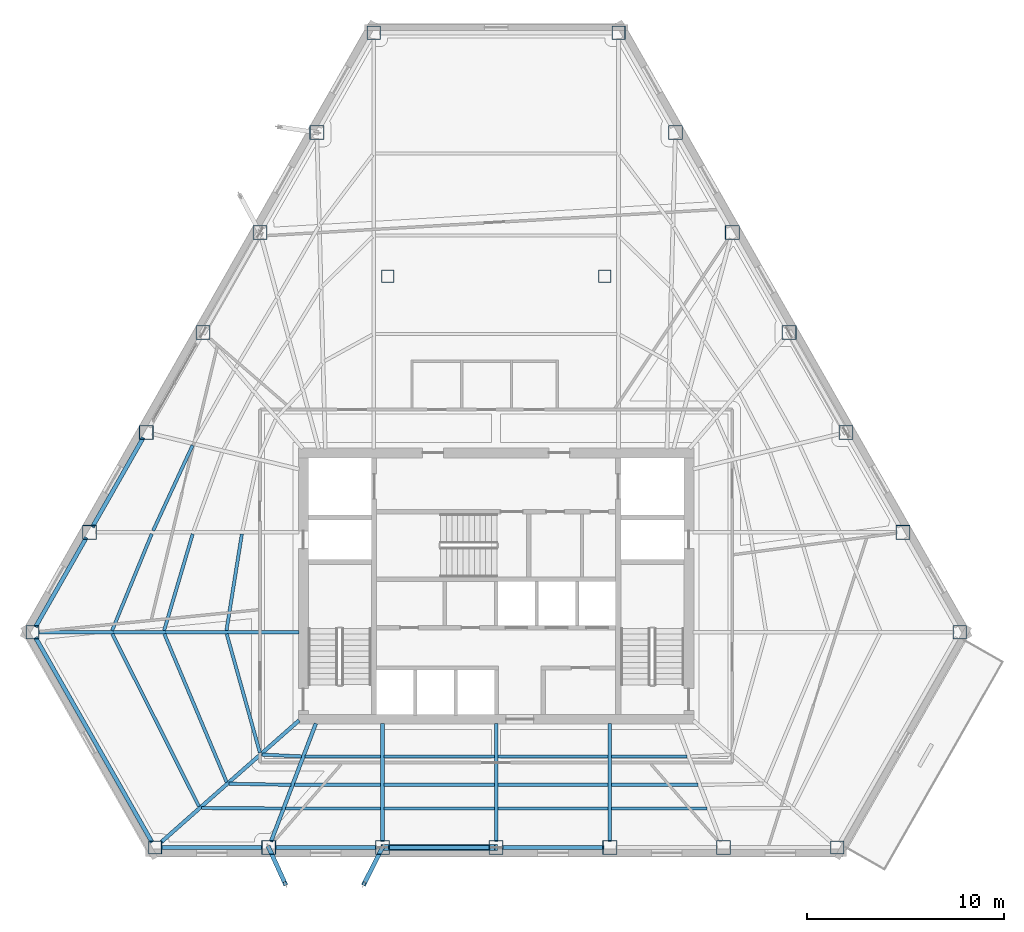
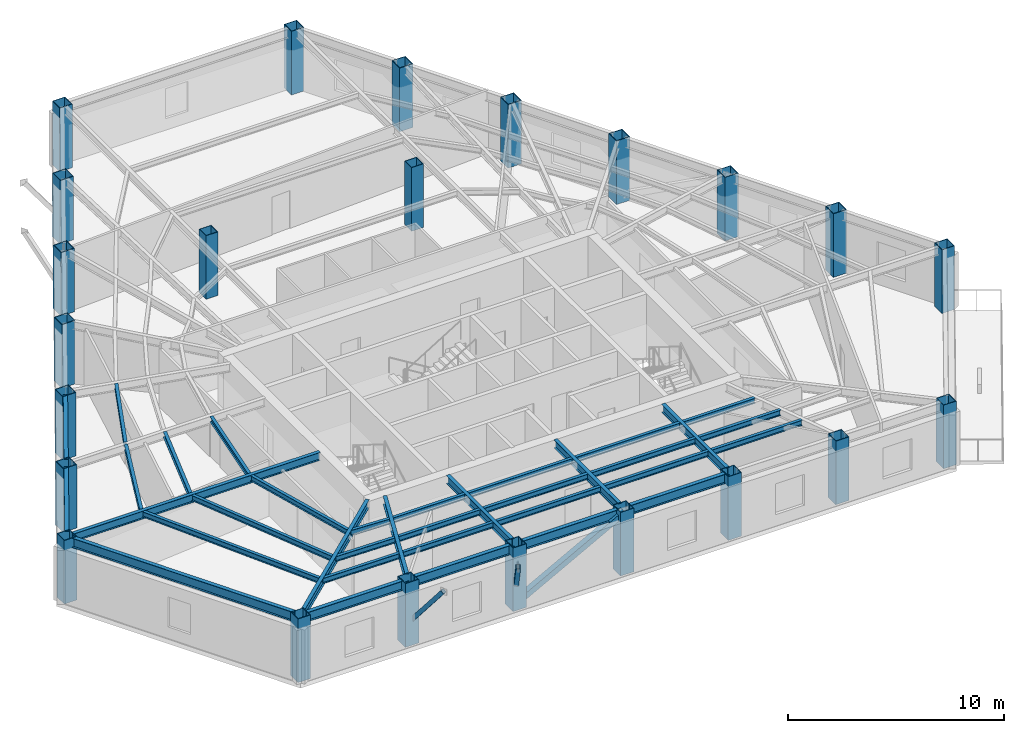
# One storey, part 1 of 12: 35 beams, 23 columns, 3 members.
"""IFC4 building model written with IfcOpenShell, lengths in metres."""

from ifc_helpers import new_model, si_unit, direction, frame, origin, origin_2d, place, context, subcontext, project, spatial, hollow_rectangle, i_section, extrude, material, material_profile, profile_set, type_object, element, save


model = new_model("IFC4")

# Units and contexts
model_context = context("Model", 3, precision=1e-05, world=origin(), true_north=direction((0.0, 1.0)))
body_context = subcontext(model_context, "Body", "Model", "MODEL_VIEW")
ifc_project = project(units=[si_unit("LENGTHUNIT", "METRE"), si_unit("AREAUNIT", "SQUARE_METRE"), si_unit("VOLUMEUNIT", "CUBIC_METRE"), si_unit("PLANEANGLEUNIT", "RADIAN"), si_unit("MASSUNIT", "GRAM", prefix="KILO")], contexts=[model_context])

# Site, building, storey
site_placement = place(None, origin())
site = spatial("IfcSite", under=ifc_project, at=site_placement, CompositionType="ELEMENT")
building_placement = place(site_placement, origin())
building = spatial("IfcBuilding", under=site, at=building_placement, Name="Kavelnor Concourse Tower", CompositionType="ELEMENT")
storey_placement = place(building_placement, frame((0.0, 0.0, 93.199951171875)))
storey = spatial("IfcBuildingStorey", under=building, at=storey_placement, Name="L23", CompositionType="ELEMENT", Elevation=93.199951171875)

# Columns
ifc_material = material(Name="Steel Grade 350", Category="steel")
ifc_material_profile_1 = material_profile(ifc_material, hollow_rectangle(XDim=0.679931640625, YDim=0.679931640625, WallThickness=0.030029296875, at=origin_2d()), Name="SHS 680x680x30")
ifc_profile_set_1 = profile_set([ifc_material_profile_1], Name="Steel Grade 350")
column_type_1 = type_object("IfcColumnType", Name="COL-FOLD-Z2", PredefinedType="COLUMN", material=ifc_profile_set_1)
for number, where, z_axis, x_axis, name in (
    (1, (31.794677734375, 44.1494140625, 0.0), (0.0, 0.0, 1.0), (1.0, 0.0, 0.0), "L23 Perimeter Corner-Fold Column F0-B0"),
    (2, (14.500244140625, 13.76318359375, 0.0), (0.0, 0.0, 1.0), (1.0, 0.0, 0.0), "L23 Perimeter Corner-Fold Column F0-B6"),
    (3, (20.711669921875, 2.849609375, 0.0), (0.0, 0.0, 1.0), (1.0, 0.0, 0.0), "L23 Perimeter Corner-Fold Column F1-B0"),
    (4, (55.288330078125, 2.849609375, 0.0), (0.0, 0.0, 1.0), (1.0, 0.0, 0.0), "L23 Perimeter Corner-Fold Column F1-B6"),
    (5, (61.499755859375, 13.76318359375, 0.0), (0.0, 0.0, 1.0), (1.0, 0.0, 0.0), "L23 Perimeter Corner-Fold Column F2-B0"),
    (6, (44.205322265625, 44.1494140625, 0.0), (0.0, 0.0, 1.0), (1.0, 0.0, 0.0), "L23 Perimeter Corner-Fold Column F2-B6"),
):
    element("IfcColumn", number, at=place(storey_placement, frame(where, z_axis=z_axis, x_axis=x_axis)), inside=storey, type_object=column_type_1, Name=name, PredefinedType="COLUMN", context=body_context, shape_type="SweptSolid", body=[
        extrude(hollow_rectangle(XDim=0.679931640625, YDim=0.679931640625, WallThickness=0.030029296875, at=origin_2d()), origin(), (0.0, 0.0, 1.0), 3.60009765625),
    ])
ifc_material_profile_2 = material_profile(ifc_material, hollow_rectangle(XDim=0.719970703125, YDim=0.719970703125, WallThickness=0.031982421875, at=origin_2d()), Name="SHS 720x720x32")
ifc_profile_set_2 = profile_set([ifc_material_profile_2], Name="Steel Grade 350")
column_type_2 = type_object("IfcColumnType", Name="COL-TUBE-Z2", PredefinedType="COLUMN", material=ifc_profile_set_2)
for number, where, z_axis, x_axis, name in (
    (7, (28.912109375, 39.085205078125, 0.0), (0.0, 0.0, 1.0), (1.0, 0.0, 0.0), "L23 Perimeter Framed-Tube Column F0-B1"),
    (8, (26.02978515625, 34.020751953125, 0.0), (0.0, 0.0, 1.0), (1.0, 0.0, 0.0), "L23 Perimeter Framed-Tube Column F0-B2"),
    (9, (23.1474609375, 28.956298828125, 0.0), (0.0, 0.0, 1.0), (1.0, 0.0, 0.0), "L23 Perimeter Framed-Tube Column F0-B3"),
    (10, (20.26513671875, 23.891845703125, 0.0), (0.0, 0.0, 1.0), (1.0, 0.0, 0.0), "L23 Perimeter Framed-Tube Column F0-B4"),
    (11, (17.3828125, 18.827392578125, 0.0), (0.0, 0.0, 1.0), (1.0, 0.0, 0.0), "L23 Perimeter Framed-Tube Column F0-B5"),
    (12, (26.474365234375, 2.849609375, 0.0), (0.0, 0.0, 1.0), (1.0, 0.0, 0.0), "L23 Perimeter Framed-Tube Column F1-B1"),
    (13, (32.2373046875, 2.849609375, 0.0), (0.0, 0.0, 1.0), (1.0, 0.0, 0.0), "L23 Perimeter Framed-Tube Column F1-B2"),
    (14, (38.0, 2.849609375, 0.0), (0.0, 0.0, 1.0), (1.0, 0.0, 0.0), "L23 Perimeter Framed-Tube Column F1-B3"),
    (15, (43.7626953125, 2.849609375, 0.0), (0.0, 0.0, 1.0), (1.0, 0.0, 0.0), "L23 Perimeter Framed-Tube Column F1-B4"),
    (16, (49.525634765625, 2.849609375, 0.0), (0.0, 0.0, 1.0), (1.0, 0.0, 0.0), "L23 Perimeter Framed-Tube Column F1-B5"),
    (17, (58.6171875, 18.827392578125, 0.0), (0.0, 0.0, 1.0), (1.0, 0.0, 0.0), "L23 Perimeter Framed-Tube Column F2-B1"),
    (18, (55.73486328125, 23.891845703125, 0.0), (0.0, 0.0, 1.0), (1.0, 0.0, 0.0), "L23 Perimeter Framed-Tube Column F2-B2"),
    (19, (52.8525390625, 28.956298828125, 0.0), (0.0, 0.0, 1.0), (1.0, 0.0, 0.0), "L23 Perimeter Framed-Tube Column F2-B3"),
    (20, (49.97021484375, 34.020751953125, 0.0), (0.0, 0.0, 1.0), (1.0, 0.0, 0.0), "L23 Perimeter Framed-Tube Column F2-B4"),
    (21, (47.087890625, 39.085205078125, 0.0), (0.0, 0.0, 1.0), (1.0, 0.0, 0.0), "L23 Perimeter Framed-Tube Column F2-B5"),
):
    element("IfcColumn", number, at=place(storey_placement, frame(where, z_axis=z_axis, x_axis=x_axis)), inside=storey, type_object=column_type_2, Name=name, PredefinedType="COLUMN", context=body_context, shape_type="SweptSolid", body=[
        extrude(hollow_rectangle(XDim=0.719970703125, YDim=0.719970703125, WallThickness=0.031982421875, at=origin_2d()), origin(), (0.0, 0.0, 1.0), 3.60009765625),
    ])
ifc_material_profile_3 = material_profile(ifc_material, hollow_rectangle(XDim=0.639892578125, YDim=0.639892578125, WallThickness=0.028076171875, at=origin_2d()), Name="SHS 640x640x28")
ifc_profile_set_3 = profile_set([ifc_material_profile_3], Name="Steel Grade 350")
column_type_3 = type_object("IfcColumnType", Name="COL-TUBE-Z3", PredefinedType="COLUMN", material=ifc_profile_set_3)
for number, where, z_axis, x_axis, name in (
    (22, (32.5, 31.800048828125, 0.0), (0.0, 0.0, 1.0), (1.0, 0.0, 0.0), "L23 North Interior Gravity Column BC-NW"),
    (23, (43.5, 31.800048828125, 0.0), (0.0, 0.0, 1.0), (1.0, 0.0, 0.0), "L23 North Interior Gravity Column BC-NE"),
):
    element("IfcColumn", number, at=place(storey_placement, frame(where, z_axis=z_axis, x_axis=x_axis)), inside=storey, type_object=column_type_3, Name=name, PredefinedType="COLUMN", context=body_context, shape_type="SweptSolid", body=[
        extrude(hollow_rectangle(XDim=0.639892578125, YDim=0.639892578125, WallThickness=0.028076171875, at=origin_2d()), origin(), (0.0, 0.0, 1.0), 3.60009765625),
    ])

# Beams
ifc_material_profile_4 = material_profile(ifc_material, i_section(OverallWidth=0.166015625, OverallDepth=0.306884765625, WebThickness=0.006591796875, FlangeThickness=0.01171875, at=origin_2d()), Name="310UB46")
ifc_profile_set_4 = profile_set([ifc_material_profile_4], Name="Steel Grade 350")
beam_type_1 = type_object("IfcBeamType", Name="BM-JOIST-310", PredefinedType="JOIST", material=ifc_profile_set_4)
beam_1_placement = place(storey_placement, frame((24.342529296875, 13.677490234375, 3.446533203125), z_axis=(0.269478015245, -0.96300654167, 0.0), x_axis=(0.96300654167, 0.269478015245, 0.0)))
element("IfcBeam", 24, at=beam_1_placement, inside=storey, type_object=beam_type_1, Name="L23 Secondary Composite Joist 01-1", PredefinedType="JOIST", context=body_context, shape_type="SweptSolid", body=[
    extrude(i_section(OverallWidth=0.166015625, OverallDepth=0.306884765625, WebThickness=0.006591796875, FlangeThickness=0.01171875, at=origin_2d()), origin(), (0.0, 0.0, 1.0), 6.25927734375),
])
beam_2_placement = place(storey_placement, frame((21.180419921875, 13.68115234375, 3.446533203125), z_axis=(0.387719624381, -0.921777355368, 0.0), x_axis=(0.921777355368, 0.387719624381, 0.0)))
element("IfcBeam", 25, at=beam_2_placement, inside=storey, type_object=beam_type_1, Name="L23 Secondary Composite Joist 01-2", PredefinedType="JOIST", context=body_context, shape_type="SweptSolid", body=[
    extrude(i_section(OverallWidth=0.166015625, OverallDepth=0.306884765625, WebThickness=0.006591796875, FlangeThickness=0.01171875, at=origin_2d()), origin(), (0.0, 0.0, 1.0), 8.153076171875),
])
beam_3_placement = place(storey_placement, frame((18.541748046875, 13.68359375, 3.446533203125), z_axis=(0.448827839238, -0.893618246638, 0.0), x_axis=(0.893618246638, 0.448827839238, 0.0)))
element("IfcBeam", 26, at=beam_3_placement, inside=storey, type_object=beam_type_1, Name="L23 Secondary Composite Joist 01-3", PredefinedType="JOIST", context=body_context, shape_type="SweptSolid", body=[
    extrude(i_section(OverallWidth=0.166015625, OverallDepth=0.306884765625, WebThickness=0.006591796875, FlangeThickness=0.01171875, at=origin_2d()), origin(), (0.0, 0.0, 1.0), 9.796142578125),
])
beam_4_placement = place(storey_placement, frame((26.14208984375, 7.559814453125, 3.446533203125), z_axis=(0.998892069474, -0.047059893141, 0.0), x_axis=(0.047059893141, 0.998892069474, 0.0)))
element("IfcBeam", 27, at=beam_4_placement, inside=storey, type_object=beam_type_1, Name="L23 Secondary Composite Joist 02-1", PredefinedType="JOIST", context=body_context, shape_type="SweptSolid", body=[
    extrude(i_section(OverallWidth=0.166015625, OverallDepth=0.306884765625, WebThickness=0.006591796875, FlangeThickness=0.01171875, at=origin_2d()), origin(), (0.0, 0.0, 1.0), 1.997314453125),
])
beam_5_placement = place(storey_placement, frame((24.465087890625, 6.082275390625, 3.446533203125), z_axis=(0.999841518971, -0.017802722868, 0.0), x_axis=(0.017802722868, 0.999841518971, 0.0)))
element("IfcBeam", 28, at=beam_5_placement, inside=storey, type_object=beam_type_1, Name="L23 Secondary Composite Joist 02-2", PredefinedType="JOIST", context=body_context, shape_type="SweptSolid", body=[
    extrude(i_section(OverallWidth=0.166015625, OverallDepth=0.306884765625, WebThickness=0.006591796875, FlangeThickness=0.01171875, at=origin_2d()), origin(), (0.0, 0.0, 1.0), 3.126708984375),
])
beam_6_placement = place(storey_placement, frame((23.0673828125, 4.849853515625, 3.446533203125), z_axis=(0.999986378258, -0.005219511334, 0.0), x_axis=(0.005219511334, 0.999986378258, 0.0)))
element("IfcBeam", 29, at=beam_6_placement, inside=storey, type_object=beam_type_1, Name="L23 Secondary Composite Joist 02-3", PredefinedType="JOIST", context=body_context, shape_type="SweptSolid", body=[
    extrude(i_section(OverallWidth=0.166015625, OverallDepth=0.306884765625, WebThickness=0.006591796875, FlangeThickness=0.01171875, at=origin_2d()), origin(), (0.0, 0.0, 1.0), 4.0693359375),
])
beam_7_placement = place(storey_placement, frame((28.31494140625, 7.461669921875, 3.446533203125), z_axis=(0.999999967548, 0.000254760835, 0.0), x_axis=(-0.000254760835, 0.999999967548, 0.0)))
element("IfcBeam", 30, at=beam_7_placement, inside=storey, type_object=beam_type_1, Name="L23 Secondary Composite Joist 03-1", PredefinedType="JOIST", context=body_context, shape_type="SweptSolid", body=[
    extrude(i_section(OverallWidth=0.166015625, OverallDepth=0.306884765625, WebThickness=0.006591796875, FlangeThickness=0.01171875, at=origin_2d()), origin(), (0.0, 0.0, 1.0), 3.833251953125),
])
beam_8_placement = place(storey_placement, frame((27.769287109375, 6.025146484375, 3.446533203125), z_axis=(0.999999998446, -5.5753791e-05, 0.0), x_axis=(5.5753791e-05, 0.999999998446, 0.0)))
element("IfcBeam", 31, at=beam_8_placement, inside=storey, type_object=beam_type_1, Name="L23 Secondary Composite Joist 03-2", PredefinedType="JOIST", context=body_context, shape_type="SweptSolid", body=[
    extrude(i_section(OverallWidth=0.166015625, OverallDepth=0.306884765625, WebThickness=0.006591796875, FlangeThickness=0.01171875, at=origin_2d()), origin(), (0.0, 0.0, 1.0), 4.37890625),
])
beam_9_placement = place(storey_placement, frame((27.314697265625, 4.828125, 3.446533203125), z_axis=(0.999999968109, -0.000252550755, 0.0), x_axis=(0.000252550755, 0.999999968109, 0.0)))
element("IfcBeam", 32, at=beam_9_placement, inside=storey, type_object=beam_type_1, Name="L23 Secondary Composite Joist 03-3", PredefinedType="JOIST", context=body_context, shape_type="SweptSolid", body=[
    extrude(i_section(OverallWidth=0.166015625, OverallDepth=0.306884765625, WebThickness=0.006591796875, FlangeThickness=0.01171875, at=origin_2d()), origin(), (0.0, 0.0, 1.0), 4.83349609375),
])
for number, where, z_axis, x_axis, name in (
    (33, (32.326171875, 7.462646484375, 3.446533203125), (1.0, 0.0, 0.0), (0.0, 1.0, 0.0), "L23 Secondary Composite Joist 04-1"),
    (34, (32.326171875, 6.02490234375, 3.446533203125), (1.0, 0.0, 0.0), (0.0, 1.0, 0.0), "L23 Secondary Composite Joist 04-2"),
    (35, (32.326171875, 4.826904296875, 3.446533203125), (1.0, 0.0, 0.0), (0.0, 1.0, 0.0), "L23 Secondary Composite Joist 04-3"),
    (36, (38.089111328125, 7.462646484375, 3.446533203125), (1.0, 0.0, 0.0), (0.0, 1.0, 0.0), "L23 Secondary Composite Joist 05-1"),
    (37, (38.089111328125, 6.02490234375, 3.446533203125), (1.0, 0.0, 0.0), (0.0, 1.0, 0.0), "L23 Secondary Composite Joist 05-2"),
    (38, (38.089111328125, 4.826904296875, 3.446533203125), (1.0, 0.0, 0.0), (0.0, 1.0, 0.0), "L23 Secondary Composite Joist 05-3"),
):
    element("IfcBeam", number, at=place(storey_placement, frame(where, z_axis=z_axis, x_axis=x_axis)), inside=storey, type_object=beam_type_1, Name=name, PredefinedType="JOIST", context=body_context, shape_type="SweptSolid", body=[
        extrude(i_section(OverallWidth=0.166015625, OverallDepth=0.306884765625, WebThickness=0.006591796875, FlangeThickness=0.01171875, at=origin_2d()), origin(), (0.0, 0.0, 1.0), 5.584716796875),
    ])
beam_10_placement = place(storey_placement, frame((43.851806640625, 7.462646484375, 3.446533203125), z_axis=(0.999999967548, -0.000254760835, 0.0), x_axis=(0.000254760835, 0.999999967548, 0.0)))
element("IfcBeam", 39, at=beam_10_placement, inside=storey, type_object=beam_type_1, Name="L23 Secondary Composite Joist 06-1", PredefinedType="JOIST", context=body_context, shape_type="SweptSolid", body=[
    extrude(i_section(OverallWidth=0.166015625, OverallDepth=0.306884765625, WebThickness=0.006591796875, FlangeThickness=0.01171875, at=origin_2d()), origin(), (0.0, 0.0, 1.0), 3.833251953125),
])
beam_11_placement = place(storey_placement, frame((43.851806640625, 6.02490234375, 3.446533203125), z_axis=(0.999999998446, 5.5753791e-05, 0.0), x_axis=(-5.5753791e-05, 0.999999998446, 0.0)))
element("IfcBeam", 40, at=beam_11_placement, inside=storey, type_object=beam_type_1, Name="L23 Secondary Composite Joist 06-2", PredefinedType="JOIST", context=body_context, shape_type="SweptSolid", body=[
    extrude(i_section(OverallWidth=0.166015625, OverallDepth=0.306884765625, WebThickness=0.006591796875, FlangeThickness=0.01171875, at=origin_2d()), origin(), (0.0, 0.0, 1.0), 4.37890625),
])
beam_12_placement = place(storey_placement, frame((43.851806640625, 4.826904296875, 3.446533203125), z_axis=(0.999999968109, 0.000252550755, 0.0), x_axis=(-0.000252550755, 0.999999968109, 0.0)))
element("IfcBeam", 41, at=beam_12_placement, inside=storey, type_object=beam_type_1, Name="L23 Secondary Composite Joist 06-3", PredefinedType="JOIST", context=body_context, shape_type="SweptSolid", body=[
    extrude(i_section(OverallWidth=0.166015625, OverallDepth=0.306884765625, WebThickness=0.006591796875, FlangeThickness=0.01171875, at=origin_2d()), origin(), (0.0, 0.0, 1.0), 4.83349609375),
])
beam_13_placement = place(storey_placement, frame((22.615478515625, 23.23681640625, 3.446533203125), z_axis=(-0.419603527999, -0.907707485532, 0.0), x_axis=(0.907707485532, -0.419603527999, 0.0)))
element("IfcBeam", 42, at=beam_13_placement, inside=storey, type_object=beam_type_1, Name="L23 Secondary Composite Joist 20-3", PredefinedType="JOIST", context=body_context, shape_type="SweptSolid", body=[
    extrude(i_section(OverallWidth=0.166015625, OverallDepth=0.306884765625, WebThickness=0.006591796875, FlangeThickness=0.01171875, at=origin_2d()), origin(), (0.0, 0.0, 1.0), 4.768798828125),
])
beam_14_placement = place(storey_placement, frame((25.111572265625, 18.739501953125, 3.446533203125), z_axis=(-0.15738070118, -0.987538006811, 0.0), x_axis=(0.987538006811, -0.15738070118, 0.0)))
element("IfcBeam", 43, at=beam_14_placement, inside=storey, type_object=beam_type_1, Name="L23 Secondary Composite Joist 21-1", PredefinedType="JOIST", context=body_context, shape_type="SweptSolid", body=[
    extrude(i_section(OverallWidth=0.166015625, OverallDepth=0.306884765625, WebThickness=0.006591796875, FlangeThickness=0.01171875, at=origin_2d()), origin(), (0.0, 0.0, 1.0), 4.9501953125),
])
beam_15_placement = place(storey_placement, frame((22.619384765625, 18.7421875, 3.446533203125), z_axis=(-0.283813062923, -0.958879630253, 0.0), x_axis=(0.958879630253, -0.283813062923, 0.0)))
element("IfcBeam", 44, at=beam_15_placement, inside=storey, type_object=beam_type_1, Name="L23 Secondary Composite Joist 21-2", PredefinedType="JOIST", context=body_context, shape_type="SweptSolid", body=[
    extrude(i_section(OverallWidth=0.166015625, OverallDepth=0.306884765625, WebThickness=0.006591796875, FlangeThickness=0.01171875, at=origin_2d()), origin(), (0.0, 0.0, 1.0), 5.103759765625),
])
beam_16_placement = place(storey_placement, frame((20.54345703125, 18.7451171875, 3.446533203125), z_axis=(-0.379183940808, -0.925321316643, 0.0), x_axis=(0.925321316643, -0.379183940808, 0.0)))
element("IfcBeam", 45, at=beam_16_placement, inside=storey, type_object=beam_type_1, Name="L23 Secondary Composite Joist 21-3", PredefinedType="JOIST", context=body_context, shape_type="SweptSolid", body=[
    extrude(i_section(OverallWidth=0.166015625, OverallDepth=0.306884765625, WebThickness=0.006591796875, FlangeThickness=0.01171875, at=origin_2d()), origin(), (0.0, 0.0, 1.0), 5.295166015625),
])
ifc_material_profile_5 = material_profile(ifc_material, i_section(OverallWidth=0.18994140625, OverallDepth=0.4541015625, WebThickness=0.008544921875, FlangeThickness=0.0126953125, at=origin_2d()), Name="460UB67")
ifc_profile_set_5 = profile_set([ifc_material_profile_5], Name="Steel Grade 350")
beam_type_2 = type_object("IfcBeamType", Name="BM-PRIMARY-460", PredefinedType="BEAM", material=ifc_profile_set_5)
beam_17_placement = place(storey_placement, frame((28.02001953125, 13.76318359375, 3.373046875), z_axis=(-1.0, 0.0, 0.0), x_axis=(0.0, -1.0, 0.0)))
element("IfcBeam", 46, at=beam_17_placement, inside=storey, type_object=beam_type_2, Name="L23 Primary Floor Girder F0-B6", PredefinedType="BEAM", context=body_context, shape_type="SweptSolid", body=[
    extrude(i_section(OverallWidth=0.18994140625, OverallDepth=0.4541015625, WebThickness=0.008544921875, FlangeThickness=0.0126953125, at=origin_2d()), origin(), (0.0, 0.0, 1.0), 13.2197265625),
])
beam_18_placement = place(storey_placement, frame((28.010009765625, 9.291015625, 3.373046875), z_axis=(-0.74976447058, -0.661704797214, 0.0), x_axis=(0.661704797214, -0.74976447058, 0.0)))
element("IfcBeam", 47, at=beam_18_placement, inside=storey, type_object=beam_type_2, Name="L23 Primary Floor Girder F1-B0", PredefinedType="BEAM", context=body_context, shape_type="SweptSolid", body=[
    extrude(i_section(OverallWidth=0.18994140625, OverallDepth=0.4541015625, WebThickness=0.008544921875, FlangeThickness=0.0126953125, at=origin_2d()), origin(), (0.0, 0.0, 1.0), 9.321044921875),
])
beam_19_placement = place(storey_placement, frame((28.862548828125, 9.137451171875, 3.373046875), z_axis=(-0.355061142992, -0.934843080275, 0.0), x_axis=(0.934843080275, -0.355061142992, 0.0)))
element("IfcBeam", 48, at=beam_19_placement, inside=storey, type_object=beam_type_2, Name="L23 Primary Floor Girder F1-B1", PredefinedType="BEAM", context=body_context, shape_type="SweptSolid", body=[
    extrude(i_section(OverallWidth=0.18994140625, OverallDepth=0.4541015625, WebThickness=0.008544921875, FlangeThickness=0.0126953125, at=origin_2d()), origin(), (0.0, 0.0, 1.0), 6.40234375),
])
for number, where, z_axis, x_axis, name in (
    (49, (32.2373046875, 9.139892578125, 3.373046875), (0.0, -1.0, 0.0), (1.0, 0.0, 0.0), "L23 Primary Floor Girder F1-B2"),
    (50, (38.0, 9.139892578125, 3.373046875), (0.0, -1.0, 0.0), (1.0, 0.0, 0.0), "L23 Primary Floor Girder F1-B3"),
    (51, (43.7626953125, 9.139892578125, 3.373046875), (0.0, -1.0, 0.0), (1.0, 0.0, 0.0), "L23 Primary Floor Girder F1-B4"),
):
    element("IfcBeam", number, at=place(storey_placement, frame(where, z_axis=z_axis, x_axis=x_axis)), inside=storey, type_object=beam_type_2, Name=name, PredefinedType="BEAM", context=body_context, shape_type="SweptSolid", body=[
        extrude(i_section(OverallWidth=0.18994140625, OverallDepth=0.4541015625, WebThickness=0.008544921875, FlangeThickness=0.0126953125, at=origin_2d()), origin(), (0.0, 0.0, 1.0), 5.990234375),
    ])
ifc_material_profile_6 = material_profile(ifc_material, i_section(OverallWidth=0.208984375, OverallDepth=0.532958984375, WebThickness=0.01025390625, FlangeThickness=0.015625, at=origin_2d()), Name="530UB92")
ifc_profile_set_6 = profile_set([ifc_material_profile_6], Name="Steel Grade 350")
beam_type_3 = type_object("IfcBeamType", Name="BM-SPANDREL-Z2", PredefinedType="SPANDREL", material=ifc_profile_set_6)
for number, where, z_axis, x_axis, name in (
    (52, (20.1142578125, 23.626708984375, 3.33349609375), (-0.49463639641, -0.869100014582, 0.0), (0.869100014582, -0.49463639641, 0.0), "L23 Perimeter Tube Spandrel Beam F0-B4"),
    (53, (17.231689453125, 18.5625, 3.33349609375), (-0.49463639641, -0.869100014582, 0.0), (0.869100014582, -0.49463639641, 0.0), "L23 Perimeter Tube Spandrel Beam F0-B5"),
):
    element("IfcBeam", number, at=place(storey_placement, frame(where, z_axis=z_axis, x_axis=x_axis)), inside=storey, type_object=beam_type_3, Name=name, PredefinedType="SPANDREL", context=body_context, shape_type="SweptSolid", body=[
        extrude(i_section(OverallWidth=0.208984375, OverallDepth=0.532958984375, WebThickness=0.01025390625, FlangeThickness=0.015625, at=origin_2d()), origin(), (0.0, 0.0, 1.0), 5.217041015625),
    ])
for number, where, z_axis, x_axis, name in (
    (54, (21.0166015625, 2.849609375, 3.33349609375), (1.0, 0.0, 0.0), (0.0, 1.0, 0.0), "L23 Perimeter Tube Spandrel Beam F1-B0"),
    (55, (26.779296875, 2.849609375, 3.33349609375), (1.0, 0.0, 0.0), (0.0, 1.0, 0.0), "L23 Perimeter Tube Spandrel Beam F1-B1"),
    (56, (32.542236328125, 2.849609375, 3.33349609375), (1.0, 0.0, 0.0), (0.0, 1.0, 0.0), "L23 Perimeter Tube Spandrel Beam F1-B2"),
    (57, (38.304931640625, 2.849609375, 3.33349609375), (1.0, 0.0, 0.0), (0.0, 1.0, 0.0), "L23 Perimeter Tube Spandrel Beam F1-B3"),
):
    element("IfcBeam", number, at=place(storey_placement, frame(where, z_axis=z_axis, x_axis=x_axis)), inside=storey, type_object=beam_type_3, Name=name, PredefinedType="SPANDREL", context=body_context, shape_type="SweptSolid", body=[
        extrude(i_section(OverallWidth=0.208984375, OverallDepth=0.532958984375, WebThickness=0.01025390625, FlangeThickness=0.015625, at=origin_2d()), origin(), (0.0, 0.0, 1.0), 5.15283203125),
    ])
beam_20_placement = place(storey_placement, frame((14.651123046875, 13.498046875, 3.33349609375), z_axis=(0.494646146825, -0.869094465194, 0.0), x_axis=(0.869094465194, 0.494646146825, 0.0)))
element("IfcBeam", 58, at=beam_20_placement, inside=storey, type_object=beam_type_3, Name="L23 Chamfer Facet Spandrel Beam C1", PredefinedType="SPANDREL", context=body_context, shape_type="SweptSolid", body=[
    extrude(i_section(OverallWidth=0.208984375, OverallDepth=0.532958984375, WebThickness=0.01025390625, FlangeThickness=0.015625, at=origin_2d()), origin(), (0.0, 0.0, 1.0), 11.947265625),
])

# Members
ifc_material_profile_7 = material_profile(ifc_material, hollow_rectangle(XDim=0.219970703125, YDim=0.219970703125, WallThickness=0.013916015625, at=origin_2d()), Name="SHS 220x220x14")
ifc_profile_set_7 = profile_set([ifc_material_profile_7], Name="Steel Grade 350")
member_type_1 = type_object("IfcMemberType", Name="MBR-BALC-STRUT-220", PredefinedType="STRUT", material=ifc_profile_set_7)
member_1_placement = place(storey_placement, frame((26.474365234375, 2.849609375, 1.050048828125), z_axis=(0.252528705715, -0.556468220202, 0.791563246175), x_axis=(0.910619915665, 0.413244926399, 0.0)))
element("IfcMember", 59, at=member_1_placement, inside=storey, type_object=member_type_1, Name="L23 Tree Balcony Raking Knee Strut 2-A", PredefinedType="STRUT", context=body_context, shape_type="SweptSolid", body=[
    extrude(hollow_rectangle(XDim=0.219970703125, YDim=0.219970703125, WallThickness=0.013916015625, at=origin_2d()), origin(), (0.0, 0.0, 1.0), 3.291015625),
])
member_2_placement = place(storey_placement, frame((32.2373046875, 2.849609375, 1.050048828125), z_axis=(-0.280346977003, -0.554304070066, 0.783678869432), x_axis=(0.892360343003, -0.451323629156, 0.0)))
element("IfcMember", 60, at=member_2_placement, inside=storey, type_object=member_type_1, Name="L23 Tree Balcony Raking Knee Strut 2-B", PredefinedType="STRUT", context=body_context, shape_type="SweptSolid", body=[
    extrude(hollow_rectangle(XDim=0.219970703125, YDim=0.219970703125, WallThickness=0.013916015625, at=origin_2d()), origin(), (0.0, 0.0, 1.0), 3.323974609375),
])
ifc_material_profile_8 = material_profile(ifc_material, hollow_rectangle(XDim=0.320068359375, YDim=0.320068359375, WallThickness=0.01806640625, at=origin_2d()), Name="SHS 320x320x18")
ifc_profile_set_8 = profile_set([ifc_material_profile_8], Name="Steel Grade 350")
member_type_2 = type_object("IfcMemberType", Name="MBR-TUBE-DIAG-Z2", PredefinedType="BRACE", material=ifc_profile_set_8)
member_3_placement = place(storey_placement, frame((32.2373046875, 2.849609375, 0.219970703125), z_axis=(0.879798784752, 0.0, 0.475346293084), x_axis=(0.0, 1.0, 0.0)))
element("IfcMember", 61, at=member_3_placement, inside=storey, type_object=member_type_2, Name="L23 Framed-Tube Bracing Diagonal F1-B2", PredefinedType="BRACE", context=body_context, shape_type="SweptSolid", body=[
    extrude(hollow_rectangle(XDim=0.320068359375, YDim=0.320068359375, WallThickness=0.01806640625, at=origin_2d()), origin(), (0.0, 0.0, 1.0), 6.550048828125),
])

save(model, "model.ifc")
